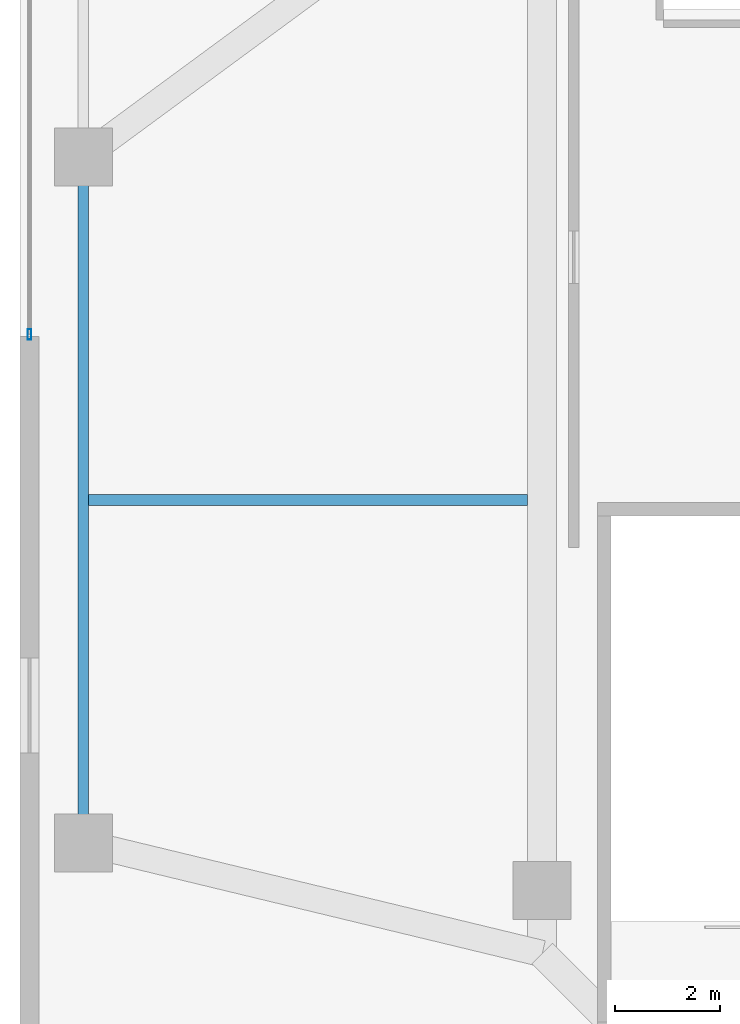
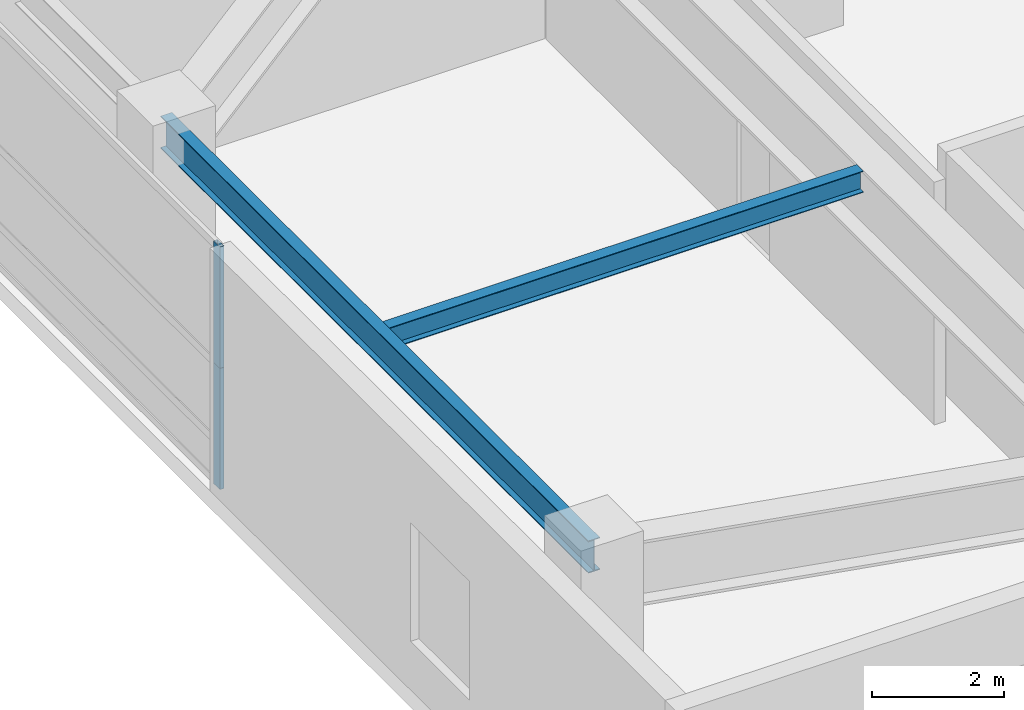
# One storey, part 5 of 34: 2 beams, 2 members, 1 element without a shape of its own.
"""IFC4 building model written with IfcOpenShell, lengths in metres."""

from ifc_helpers import new_model, si_unit, direction, frame, origin, origin_2d, place, context, subcontext, project, spatial, hollow_rectangle, i_section, extrude, source, transform, mapped, material, layer, layer_set, material_profile, profile_set, type_object, element, aggregate, save


model = new_model("IFC4")

# Units and contexts
model_context = context("Model", 3, precision=1e-05, world=origin(), true_north=direction((0.0, 1.0)))
body_context = subcontext(model_context, "Body", "Model", "MODEL_VIEW")
ifc_project = project(units=[si_unit("LENGTHUNIT", "METRE"), si_unit("AREAUNIT", "SQUARE_METRE"), si_unit("VOLUMEUNIT", "CUBIC_METRE"), si_unit("PLANEANGLEUNIT", "RADIAN"), si_unit("MASSUNIT", "GRAM", prefix="KILO"), si_unit("THERMODYNAMICTEMPERATUREUNIT", "KELVIN"), si_unit("POWERUNIT", "WATT")], contexts=[model_context])

# Site, building, storey
site_placement = place(None, origin())
site = spatial("IfcSite", under=ifc_project, at=site_placement, CompositionType="ELEMENT")
building_placement = place(site_placement, origin())
building = spatial("IfcBuilding", under=site, at=building_placement, Name="Yuzanri Waterfront Tower", CompositionType="ELEMENT")
storey_placement = place(building_placement, frame((0.0, 0.0, 25.800048828125)))
storey = spatial("IfcBuildingStorey", under=building, at=storey_placement, Name="L06", CompositionType="ELEMENT", Elevation=25.800048828125)

# Beams
ifc_material_1 = material(Name="Steel Q355B", Category="steel")
ifc_material_profile_1 = material_profile(ifc_material_1, i_section(OverallWidth=0.199951171875, OverallDepth=0.60009765625, WebThickness=0.010986328125, FlangeThickness=0.01708984375, at=origin_2d()), Name="HN 600x200x11x17")
ifc_profile_set_1 = profile_set([ifc_material_profile_1], Name="Steel Q355B")
beam_type_1 = type_object("IfcBeamType", Name="Perimeter Spandrel Q355B HN 600x200", PredefinedType="SPANDREL", material=ifc_profile_set_1)
shared_shape_1 = source(origin(), body_context, "Body", "SweptSolid", [
    extrude(i_section(OverallWidth=0.199951171875, OverallDepth=0.60009765625, WebThickness=0.010986328125, FlangeThickness=0.01708984375, at=origin_2d()), origin(), (0.0, 0.0, 1.0), 13.0),
])
beam_1_placement = place(storey_placement, frame((3.199951171875, 6.39990234375, 4.199951171875), z_axis=(0.0, 1.0, 0.0), x_axis=(-1.0, 0.0, 0.0)))
element("IfcBeam", 1, at=beam_1_placement, inside=storey, type_object=beam_type_1, Name="L06 West Podium Spandrel 1", PredefinedType="SPANDREL", context=body_context, shape_type="MappedRepresentation", body=[
    mapped(shared_shape_1, transform((0.0, 0.0, 0.0), scale=1.0)),
])
ifc_material_2 = material(Name="Steel Q355B", Category="steel")
ifc_material_profile_2 = material_profile(ifc_material_2, i_section(OverallWidth=0.199951171875, OverallDepth=0.39990234375, WebThickness=0.008056640625, FlangeThickness=0.012939453125, at=origin_2d()), Name="HN 400x200x8x13")
ifc_profile_set_2 = profile_set([ifc_material_profile_2], Name="Steel Q355B")
beam_type_2 = type_object("IfcBeamType", Name="Floor Joist Q355B HN 400x200", PredefinedType="JOIST", material=ifc_profile_set_2)
shared_shape_2 = source(origin(), body_context, "Body", "SweptSolid", [
    extrude(i_section(OverallWidth=0.199951171875, OverallDepth=0.39990234375, WebThickness=0.008056640625, FlangeThickness=0.012939453125, at=origin_2d()), origin(), (0.0, 0.0, 1.0), 8.320068359375),
])
beam_2_placement = place(storey_placement, frame((3.300048828125, 12.89990234375, 4.300048828125), z_axis=(1.0, 0.0, 0.0), x_axis=(0.0, 1.0, 0.0)))
element("IfcBeam", 2, at=beam_2_placement, inside=storey, type_object=beam_type_2, Name="L06 West Podium Roof Joist 1", PredefinedType="JOIST", context=body_context, shape_type="MappedRepresentation", body=[
    mapped(shared_shape_2, transform((0.0, 0.0, 0.0), scale=1.0)),
])

# Curtain wall, members
ifc_material_3 = material(Name="Anodized Architectural Bronze", Category="metal")
ifc_layer = layer(ifc_material_3, 0.159912109375)
ifc_layer_set = layer_set([ifc_layer], Name="Anodized Architectural Bronze")
curtain_wall_type = type_object("IfcCurtainWallType", Name="Anodized Bronze Podium Waterfront Double-Height Unitized Curtain Wall 8400", PredefinedType="NOTDEFINED", material=ifc_layer_set)
curtain_wall_placement = place(storey_placement, origin())
curtain_wall = element("IfcCurtainWall", 3, at=curtain_wall_placement, inside=storey, type_object=curtain_wall_type, Name="L06 Curtain Wall CW-L06-W", PredefinedType="NOTDEFINED")
ifc_material_4 = material(Name="Anodized Architectural Bronze", Category="metal")
ifc_material_profile_3 = material_profile(ifc_material_4, hollow_rectangle(XDim=0.074951171875, YDim=0.199951171875, WallThickness=0.00390625, at=origin_2d()), Name="CWM 75x200")
ifc_profile_set_3 = profile_set([ifc_material_profile_3], Name="Anodized Architectural Bronze")
member_type = type_object("IfcMemberType", Name="Anodized Bronze Primary Curtain-Wall Mullion 75x200", PredefinedType="MULLION", material=ifc_profile_set_3)
shared_shape_3 = source(origin(), body_context, "Body", "SweptSolid", [
    extrude(hollow_rectangle(XDim=0.074951171875, YDim=0.199951171875, WallThickness=0.00390625, at=origin_2d()), origin(), (0.0, 0.0, 1.0), 2.248046875),
])
member_1_placement = place(storey_placement, frame((2.179931640625, 16.0400390625, 0.0), z_axis=(0.0, 0.0, 1.0), x_axis=(1.0, 0.0, 0.0)))
member_1 = element("IfcMember", 4, at=member_1_placement, type_object=member_type, Name="CW-L06-W Lower Mullion 00", PredefinedType="MULLION", context=body_context, shape_type="MappedRepresentation", body=[
    mapped(shared_shape_3, transform((0.0, 0.0, 0.0), scale=1.0)),
])
member_2_placement = place(storey_placement, frame((2.179931640625, 16.0400390625, 2.251953125), z_axis=(0.0, 0.0, 1.0), x_axis=(1.0, 0.0, 0.0)))
member_2 = element("IfcMember", 5, at=member_2_placement, type_object=member_type, Name="CW-L06-W Upper Mullion 00", PredefinedType="MULLION", context=body_context, shape_type="MappedRepresentation", body=[
    mapped(shared_shape_3, transform((0.0, 0.0, 0.0), scale=1.0)),
])
aggregate(curtain_wall, [member_1, member_2])

save(model, "model.ifc")
